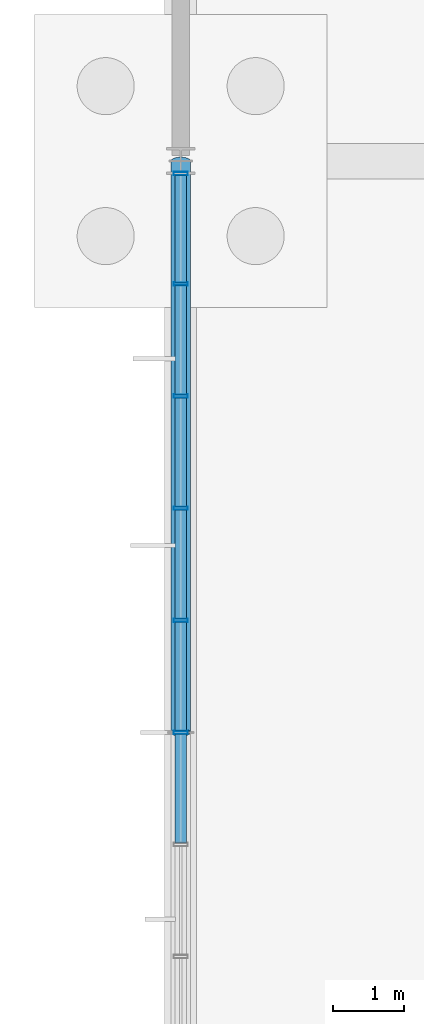
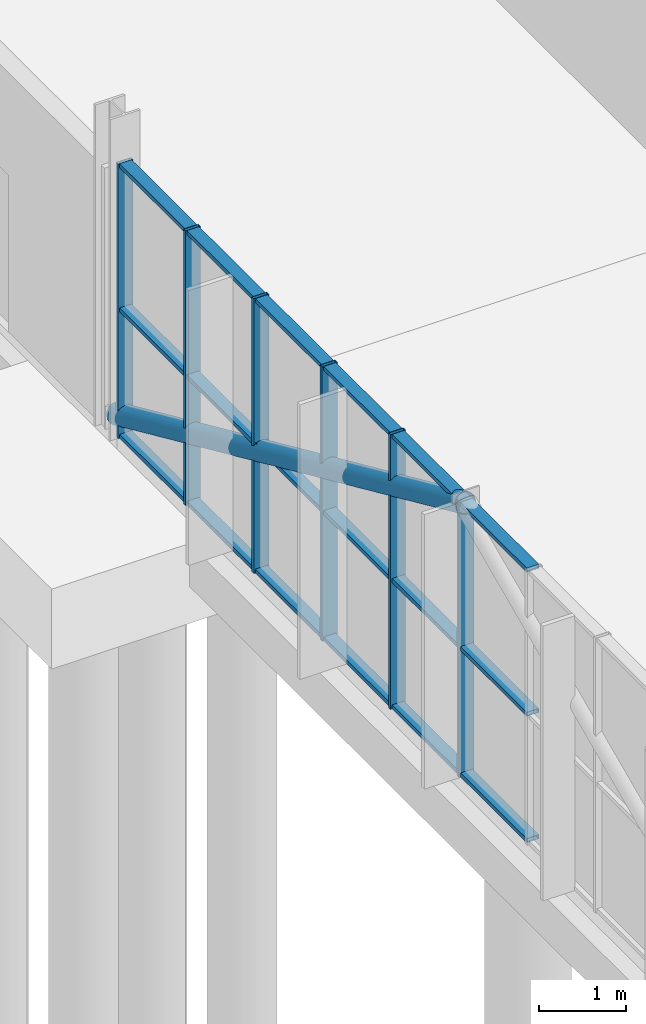
# One storey, part 30 of 136: 25 members, 1 element without a shape of its own.
"""IFC4 building model written with IfcOpenShell, lengths in metres."""

from ifc_helpers import new_model, si_unit, direction, frame, origin, origin_2d, place, context, subcontext, project, spatial, hollow_rectangle, hollow_circle, extrude, material, layer, layer_set, material_profile, profile_set, type_object, element, aggregate, save


model = new_model("IFC4")

# Units and contexts
model_context = context("Model", 3, precision=1e-05, world=origin(), true_north=direction((0.0, 1.0)))
body_context = subcontext(model_context, "Body", "Model", "MODEL_VIEW")
ifc_project = project(units=[si_unit("LENGTHUNIT", "METRE"), si_unit("AREAUNIT", "SQUARE_METRE"), si_unit("VOLUMEUNIT", "CUBIC_METRE"), si_unit("PLANEANGLEUNIT", "RADIAN"), si_unit("MASSUNIT", "GRAM", prefix="KILO")], contexts=[model_context])

# Site, building, storey
site_placement = place(None, origin())
site = spatial("IfcSite", under=ifc_project, at=site_placement, CompositionType="ELEMENT")
building_placement = place(site_placement, origin())
building = spatial("IfcBuilding", under=site, at=building_placement, Name="Solvenia Promenade Tram Depot", CompositionType="ELEMENT")
storey_placement = place(building_placement, origin())
storey = spatial("IfcBuildingStorey", under=building, at=storey_placement, Name="L00", CompositionType="ELEMENT", Elevation=0.0)

# Member
ifc_material_1 = material(Name="Structural steel ASTM A500 Gr. C", Category="steel")
ifc_material_profile_1 = material_profile(ifc_material_1, hollow_circle(Radius=0.136474609375, WallThickness=0.010009765625, at=origin_2d()), Name="CHS273.0x10", Category="steel")
ifc_profile_set_1 = profile_set([ifc_material_profile_1], Name="Structural steel ASTM A500 Gr. C")
member_type_1 = type_object("IfcMemberType", Name="Brace-CHS273x10", PredefinedType="BRACE", material=ifc_profile_set_1)
member_1_placement = place(storey_placement, frame((0.0, 24.0, 0.199951171875), z_axis=(0.0, -0.91191733938, 0.410373934525), x_axis=(1.0, 0.0, 0.0)))
element("IfcMember", 1, at=member_1_placement, inside=storey, type_object=member_type_1, Name="PAC-DES Chevron Brace 12R", PredefinedType="BRACE", context=body_context, shape_type="SweptSolid", body=[
    extrude(hollow_circle(Radius=0.136474609375, WallThickness=0.010009765625, at=origin_2d()), origin(), (0.0, 0.0, 1.0), 8.772705078125),
])

# Curtain wall, members
ifc_material_2 = material(Name="Anodized aluminium AW-6063 T6", Category="aluminium")
ifc_layer = layer(ifc_material_2, 0.179931640625, Name="Anodized aluminium AW-6063 T6", Category="aluminium")
ifc_layer_set = layer_set([ifc_layer], Name="Anodized aluminium AW-6063 T6")
curtain_wall_type = type_object("IfcCurtainWallType", Name="CW-Solar-1500", PredefinedType="NOTDEFINED", material=ifc_layer_set)
curtain_wall_placement = place(storey_placement, origin())
curtain_wall = element("IfcCurtainWall", 2, at=curtain_wall_placement, inside=storey, type_object=curtain_wall_type, Name="Curtain Wall CW-V4W-L00", PredefinedType="NOTDEFINED")
ifc_material_profile_2 = material_profile(ifc_material_2, hollow_rectangle(XDim=0.199951171875, YDim=0.048095703125, WallThickness=0.00390625, at=origin_2d()), Name="ALU-M3", Category="aluminium")
ifc_profile_set_2 = profile_set([ifc_material_profile_2], Name="Anodized aluminium AW-6063 T6")
member_type_2 = type_object("IfcMemberType", Name="CWM-Mullion-3", PredefinedType="MULLION", material=ifc_profile_set_2)
member_2_placement = place(storey_placement, frame((0.0, 16.0, 0.0), z_axis=(0.0, 0.0, 1.0), x_axis=(-1.0, 0.0, 0.0)))
member_2 = element("IfcMember", 3, at=member_2_placement, type_object=member_type_2, Name="CW-7 mullion 6", PredefinedType="MULLION", context=body_context, shape_type="SweptSolid", body=[
    extrude(hollow_rectangle(XDim=0.199951171875, YDim=0.048095703125, WallThickness=0.00390625, at=origin_2d()), origin(), (0.0, 0.0, 1.0), 3.85009765625),
])
member_3_placement = place(storey_placement, frame((0.0, 17.570068359375, 0.0), z_axis=(0.0, 0.0, 1.0), x_axis=(-1.0, 0.0, 0.0)))
member_3 = element("IfcMember", 4, at=member_3_placement, type_object=member_type_2, Name="CW-7 mullion 7", PredefinedType="MULLION", context=body_context, shape_type="SweptSolid", body=[
    extrude(hollow_rectangle(XDim=0.199951171875, YDim=0.048095703125, WallThickness=0.00390625, at=origin_2d()), origin(), (0.0, 0.0, 1.0), 3.85009765625),
])
member_4_placement = place(storey_placement, frame((0.0, 19.139892578125, 0.0), z_axis=(0.0, 0.0, 1.0), x_axis=(-1.0, 0.0, 0.0)))
member_4 = element("IfcMember", 5, at=member_4_placement, type_object=member_type_2, Name="CW-7 mullion 8", PredefinedType="MULLION", context=body_context, shape_type="SweptSolid", body=[
    extrude(hollow_rectangle(XDim=0.199951171875, YDim=0.048095703125, WallThickness=0.00390625, at=origin_2d()), origin(), (0.0, 0.0, 1.0), 3.85009765625),
])
member_5_placement = place(storey_placement, frame((0.0, 20.7099609375, 0.0), z_axis=(0.0, 0.0, 1.0), x_axis=(-1.0, 0.0, 0.0)))
member_5 = element("IfcMember", 6, at=member_5_placement, type_object=member_type_2, Name="CW-7 mullion 9", PredefinedType="MULLION", context=body_context, shape_type="SweptSolid", body=[
    extrude(hollow_rectangle(XDim=0.199951171875, YDim=0.048095703125, WallThickness=0.00390625, at=origin_2d()), origin(), (0.0, 0.0, 1.0), 3.85009765625),
])
member_6_placement = place(storey_placement, frame((0.0, 22.280029296875, 0.0), z_axis=(0.0, 0.0, 1.0), x_axis=(-1.0, 0.0, 0.0)))
member_6 = element("IfcMember", 7, at=member_6_placement, type_object=member_type_2, Name="CW-7 mullion 10", PredefinedType="MULLION", context=body_context, shape_type="SweptSolid", body=[
    extrude(hollow_rectangle(XDim=0.199951171875, YDim=0.048095703125, WallThickness=0.00390625, at=origin_2d()), origin(), (0.0, 0.0, 1.0), 3.85009765625),
])
member_7_placement = place(storey_placement, frame((0.0, 23.825927734375, 0.0), z_axis=(0.0, 0.0, 1.0), x_axis=(-1.0, 0.0, 0.0)))
member_7 = element("IfcMember", 8, at=member_7_placement, type_object=member_type_2, Name="CW-7 mullion 11", PredefinedType="MULLION", context=body_context, shape_type="SweptSolid", body=[
    extrude(hollow_rectangle(XDim=0.199951171875, YDim=0.048095703125, WallThickness=0.00390625, at=origin_2d()), origin(), (0.0, 0.0, 1.0), 3.85009765625),
])
ifc_material_profile_3 = material_profile(ifc_material_2, hollow_rectangle(XDim=0.159912109375, YDim=0.05810546875, WallThickness=0.00390625, at=origin_2d()), Name="ALU-T3", Category="aluminium")
ifc_profile_set_3 = profile_set([ifc_material_profile_3], Name="Anodized aluminium AW-6063 T6")
member_type_3 = type_object("IfcMemberType", Name="CWT-Transom-3", PredefinedType="USERDEFINED", material=ifc_profile_set_3)
member_8_placement = place(storey_placement, frame((0.0, 14.4541015625, 0.029052734375), z_axis=(0.0, 1.0, 0.0), x_axis=(-1.0, 0.0, 0.0)))
member_8 = element("IfcMember", 9, at=member_8_placement, type_object=member_type_3, Name="CW-7 transom 5.1", ObjectType="TRANSOM", PredefinedType="USERDEFINED", context=body_context, shape_type="SweptSolid", body=[
    extrude(hollow_rectangle(XDim=0.159912109375, YDim=0.05810546875, WallThickness=0.00390625, at=origin_2d()), origin(), (0.0, 0.0, 1.0), 1.52197265625),
])
member_9_placement = place(storey_placement, frame((0.0, 14.4541015625, 1.800048828125), z_axis=(0.0, 1.0, 0.0), x_axis=(-1.0, 0.0, 0.0)))
member_9 = element("IfcMember", 10, at=member_9_placement, type_object=member_type_3, Name="CW-7 transom 5.2", ObjectType="TRANSOM", PredefinedType="USERDEFINED", context=body_context, shape_type="SweptSolid", body=[
    extrude(hollow_rectangle(XDim=0.159912109375, YDim=0.05810546875, WallThickness=0.00390625, at=origin_2d()), origin(), (0.0, 0.0, 1.0), 1.52197265625),
])
member_10_placement = place(storey_placement, frame((0.0, 14.4541015625, 3.821044921875), z_axis=(0.0, 1.0, 0.0), x_axis=(-1.0, 0.0, 0.0)))
member_10 = element("IfcMember", 11, at=member_10_placement, type_object=member_type_3, Name="CW-7 transom 5.3", ObjectType="TRANSOM", PredefinedType="USERDEFINED", context=body_context, shape_type="SweptSolid", body=[
    extrude(hollow_rectangle(XDim=0.159912109375, YDim=0.05810546875, WallThickness=0.00390625, at=origin_2d()), origin(), (0.0, 0.0, 1.0), 1.52197265625),
])
member_11_placement = place(storey_placement, frame((0.0, 16.02392578125, 0.029052734375), z_axis=(0.0, 1.0, 0.0), x_axis=(-1.0, 0.0, 0.0)))
member_11 = element("IfcMember", 12, at=member_11_placement, type_object=member_type_3, Name="CW-7 transom 6.1", ObjectType="TRANSOM", PredefinedType="USERDEFINED", context=body_context, shape_type="SweptSolid", body=[
    extrude(hollow_rectangle(XDim=0.159912109375, YDim=0.05810546875, WallThickness=0.00390625, at=origin_2d()), origin(), (0.0, 0.0, 1.0), 1.52197265625),
])
member_12_placement = place(storey_placement, frame((0.0, 16.02392578125, 1.800048828125), z_axis=(0.0, 1.0, 0.0), x_axis=(-1.0, 0.0, 0.0)))
member_12 = element("IfcMember", 13, at=member_12_placement, type_object=member_type_3, Name="CW-7 transom 6.2", ObjectType="TRANSOM", PredefinedType="USERDEFINED", context=body_context, shape_type="SweptSolid", body=[
    extrude(hollow_rectangle(XDim=0.159912109375, YDim=0.05810546875, WallThickness=0.00390625, at=origin_2d()), origin(), (0.0, 0.0, 1.0), 1.52197265625),
])
member_13_placement = place(storey_placement, frame((0.0, 16.02392578125, 3.821044921875), z_axis=(0.0, 1.0, 0.0), x_axis=(-1.0, 0.0, 0.0)))
member_13 = element("IfcMember", 14, at=member_13_placement, type_object=member_type_3, Name="CW-7 transom 6.3", ObjectType="TRANSOM", PredefinedType="USERDEFINED", context=body_context, shape_type="SweptSolid", body=[
    extrude(hollow_rectangle(XDim=0.159912109375, YDim=0.05810546875, WallThickness=0.00390625, at=origin_2d()), origin(), (0.0, 0.0, 1.0), 1.52197265625),
])
member_14_placement = place(storey_placement, frame((0.0, 17.593994140625, 0.029052734375), z_axis=(0.0, 1.0, 0.0), x_axis=(-1.0, 0.0, 0.0)))
member_14 = element("IfcMember", 15, at=member_14_placement, type_object=member_type_3, Name="CW-7 transom 7.1", ObjectType="TRANSOM", PredefinedType="USERDEFINED", context=body_context, shape_type="SweptSolid", body=[
    extrude(hollow_rectangle(XDim=0.159912109375, YDim=0.05810546875, WallThickness=0.00390625, at=origin_2d()), origin(), (0.0, 0.0, 1.0), 1.52197265625),
])
member_15_placement = place(storey_placement, frame((0.0, 17.593994140625, 1.800048828125), z_axis=(0.0, 1.0, 0.0), x_axis=(-1.0, 0.0, 0.0)))
member_15 = element("IfcMember", 16, at=member_15_placement, type_object=member_type_3, Name="CW-7 transom 7.2", ObjectType="TRANSOM", PredefinedType="USERDEFINED", context=body_context, shape_type="SweptSolid", body=[
    extrude(hollow_rectangle(XDim=0.159912109375, YDim=0.05810546875, WallThickness=0.00390625, at=origin_2d()), origin(), (0.0, 0.0, 1.0), 1.52197265625),
])
member_16_placement = place(storey_placement, frame((0.0, 17.593994140625, 3.821044921875), z_axis=(0.0, 1.0, 0.0), x_axis=(-1.0, 0.0, 0.0)))
member_16 = element("IfcMember", 17, at=member_16_placement, type_object=member_type_3, Name="CW-7 transom 7.3", ObjectType="TRANSOM", PredefinedType="USERDEFINED", context=body_context, shape_type="SweptSolid", body=[
    extrude(hollow_rectangle(XDim=0.159912109375, YDim=0.05810546875, WallThickness=0.00390625, at=origin_2d()), origin(), (0.0, 0.0, 1.0), 1.52197265625),
])
member_17_placement = place(storey_placement, frame((0.0, 19.1640625, 0.029052734375), z_axis=(0.0, 1.0, 0.0), x_axis=(-1.0, 0.0, 0.0)))
member_17 = element("IfcMember", 18, at=member_17_placement, type_object=member_type_3, Name="CW-7 transom 8.1", ObjectType="TRANSOM", PredefinedType="USERDEFINED", context=body_context, shape_type="SweptSolid", body=[
    extrude(hollow_rectangle(XDim=0.159912109375, YDim=0.05810546875, WallThickness=0.00390625, at=origin_2d()), origin(), (0.0, 0.0, 1.0), 1.52197265625),
])
member_18_placement = place(storey_placement, frame((0.0, 19.1640625, 1.800048828125), z_axis=(0.0, 1.0, 0.0), x_axis=(-1.0, 0.0, 0.0)))
member_18 = element("IfcMember", 19, at=member_18_placement, type_object=member_type_3, Name="CW-7 transom 8.2", ObjectType="TRANSOM", PredefinedType="USERDEFINED", context=body_context, shape_type="SweptSolid", body=[
    extrude(hollow_rectangle(XDim=0.159912109375, YDim=0.05810546875, WallThickness=0.00390625, at=origin_2d()), origin(), (0.0, 0.0, 1.0), 1.52197265625),
])
member_19_placement = place(storey_placement, frame((0.0, 19.1640625, 3.821044921875), z_axis=(0.0, 1.0, 0.0), x_axis=(-1.0, 0.0, 0.0)))
member_19 = element("IfcMember", 20, at=member_19_placement, type_object=member_type_3, Name="CW-7 transom 8.3", ObjectType="TRANSOM", PredefinedType="USERDEFINED", context=body_context, shape_type="SweptSolid", body=[
    extrude(hollow_rectangle(XDim=0.159912109375, YDim=0.05810546875, WallThickness=0.00390625, at=origin_2d()), origin(), (0.0, 0.0, 1.0), 1.52197265625),
])
member_20_placement = place(storey_placement, frame((0.0, 20.73388671875, 0.029052734375), z_axis=(0.0, 1.0, 0.0), x_axis=(-1.0, 0.0, 0.0)))
member_20 = element("IfcMember", 21, at=member_20_placement, type_object=member_type_3, Name="CW-7 transom 9.1", ObjectType="TRANSOM", PredefinedType="USERDEFINED", context=body_context, shape_type="SweptSolid", body=[
    extrude(hollow_rectangle(XDim=0.159912109375, YDim=0.05810546875, WallThickness=0.00390625, at=origin_2d()), origin(), (0.0, 0.0, 1.0), 1.522216796875),
])
member_21_placement = place(storey_placement, frame((0.0, 20.73388671875, 1.800048828125), z_axis=(0.0, 1.0, 0.0), x_axis=(-1.0, 0.0, 0.0)))
member_21 = element("IfcMember", 22, at=member_21_placement, type_object=member_type_3, Name="CW-7 transom 9.2", ObjectType="TRANSOM", PredefinedType="USERDEFINED", context=body_context, shape_type="SweptSolid", body=[
    extrude(hollow_rectangle(XDim=0.159912109375, YDim=0.05810546875, WallThickness=0.00390625, at=origin_2d()), origin(), (0.0, 0.0, 1.0), 1.522216796875),
])
member_22_placement = place(storey_placement, frame((0.0, 20.73388671875, 3.821044921875), z_axis=(0.0, 1.0, 0.0), x_axis=(-1.0, 0.0, 0.0)))
member_22 = element("IfcMember", 23, at=member_22_placement, type_object=member_type_3, Name="CW-7 transom 9.3", ObjectType="TRANSOM", PredefinedType="USERDEFINED", context=body_context, shape_type="SweptSolid", body=[
    extrude(hollow_rectangle(XDim=0.159912109375, YDim=0.05810546875, WallThickness=0.00390625, at=origin_2d()), origin(), (0.0, 0.0, 1.0), 1.522216796875),
])
member_23_placement = place(storey_placement, frame((0.0, 22.303955078125, 0.029052734375), z_axis=(0.0, 1.0, 0.0), x_axis=(-1.0, 0.0, 0.0)))
member_23 = element("IfcMember", 24, at=member_23_placement, type_object=member_type_3, Name="CW-7 transom 10.1", ObjectType="TRANSOM", PredefinedType="USERDEFINED", context=body_context, shape_type="SweptSolid", body=[
    extrude(hollow_rectangle(XDim=0.159912109375, YDim=0.05810546875, WallThickness=0.00390625, at=origin_2d()), origin(), (0.0, 0.0, 1.0), 1.498046875),
])
member_24_placement = place(storey_placement, frame((0.0, 22.303955078125, 1.800048828125), z_axis=(0.0, 1.0, 0.0), x_axis=(-1.0, 0.0, 0.0)))
member_24 = element("IfcMember", 25, at=member_24_placement, type_object=member_type_3, Name="CW-7 transom 10.2", ObjectType="TRANSOM", PredefinedType="USERDEFINED", context=body_context, shape_type="SweptSolid", body=[
    extrude(hollow_rectangle(XDim=0.159912109375, YDim=0.05810546875, WallThickness=0.00390625, at=origin_2d()), origin(), (0.0, 0.0, 1.0), 1.498046875),
])
member_25_placement = place(storey_placement, frame((0.0, 22.303955078125, 3.821044921875), z_axis=(0.0, 1.0, 0.0), x_axis=(-1.0, 0.0, 0.0)))
member_25 = element("IfcMember", 26, at=member_25_placement, type_object=member_type_3, Name="CW-7 transom 10.3", ObjectType="TRANSOM", PredefinedType="USERDEFINED", context=body_context, shape_type="SweptSolid", body=[
    extrude(hollow_rectangle(XDim=0.159912109375, YDim=0.05810546875, WallThickness=0.00390625, at=origin_2d()), origin(), (0.0, 0.0, 1.0), 1.498046875),
])
aggregate(curtain_wall, [member_2, member_3, member_4, member_5, member_6, member_7, member_8, member_9, member_10, member_11, member_12, member_13, member_14, member_15, member_16, member_17, member_18, member_19, member_20, member_21, member_22, member_23, member_24, member_25])

save(model, "model.ifc")
